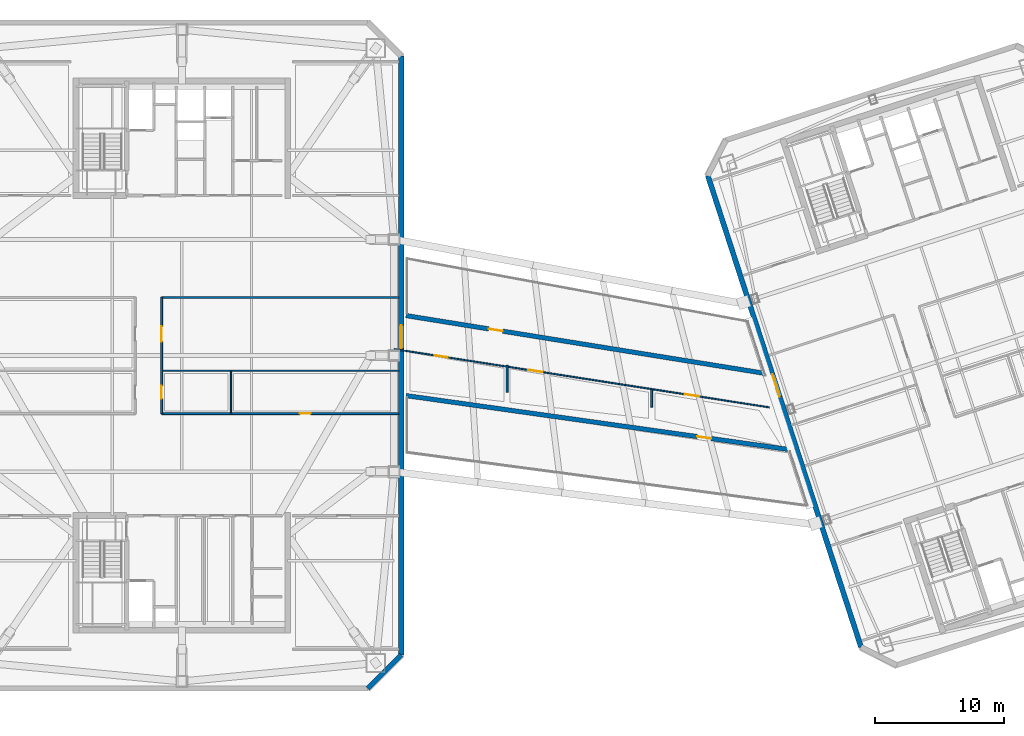
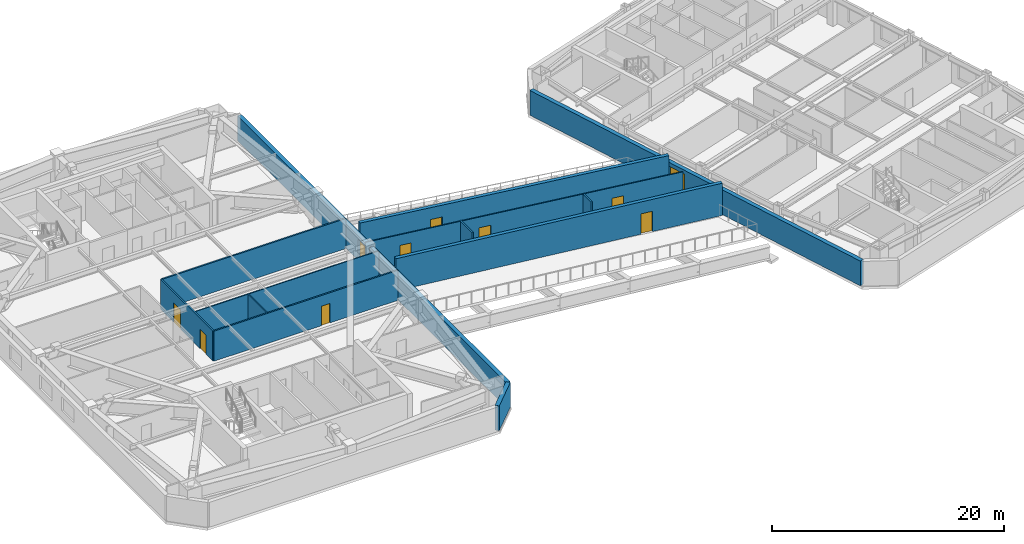
# One storey, part 7 of 18: 13 walls, 10 doors, 10 openings.
"""IFC4 building model written with IfcOpenShell, lengths in metres."""

from ifc_helpers import new_model, si_unit, direction, frame, frame_2d, origin, place, context, subcontext, project, spatial, rectangle, extrude, material, layer, layer_set, type_object, element, fill, save


model = new_model("IFC4")

# Units and contexts
model_context = context("Model", 3, precision=1e-05, world=origin(), true_north=direction((0.0, 1.0)))
body_context = subcontext(model_context, "Body", "Model", "MODEL_VIEW")
ifc_project = project(units=[si_unit("LENGTHUNIT", "METRE"), si_unit("AREAUNIT", "SQUARE_METRE"), si_unit("VOLUMEUNIT", "CUBIC_METRE"), si_unit("PLANEANGLEUNIT", "RADIAN"), si_unit("MASSUNIT", "GRAM", prefix="KILO")], contexts=[model_context])

# Site, building, storey
site_placement = place(None, origin())
site = spatial("IfcSite", under=ifc_project, at=site_placement, CompositionType="ELEMENT")
building_placement = place(site_placement, origin())
building = spatial("IfcBuilding", under=site, at=building_placement, Name="Qiaolan Cultural Towers", CompositionType="ELEMENT")
storey_placement = place(building_placement, frame((0.0, 0.0, 219.64990234375)))
storey = spatial("IfcBuildingStorey", under=building, at=storey_placement, Name="L59", CompositionType="ELEMENT", Elevation=219.64990234375)

# Wall, opening, door
ifc_material_1 = material(Name="Precast Concrete C50 Honed Stone Pier", Category="masonry")
ifc_layer_1 = layer(ifc_material_1, 0.39990234375)
ifc_layer_set_1 = layer_set([ifc_layer_1], Name="Precast Concrete C50 Honed Stone Pier")
wall_type_1 = type_object("IfcWallType", Name="WL-EXT-PIER-400", PredefinedType="SOLIDWALL", material=ifc_layer_set_1)
wall_1_placement = place(storey_placement, frame((47.0, 57.199951171875, 0.0), z_axis=(0.0, 0.0, 1.0), x_axis=(0.0, -1.0, 0.0)))
wall_1 = element("IfcWall", 1, at=wall_1_placement, inside=storey, type_object=wall_type_1, Name="L59 West Tower Precast Pier Facade Wall F5", PredefinedType="SOLIDWALL", context=body_context, shape_type="SweptSolid", body=[
    extrude(rectangle(XDim=46.39990234375, YDim=0.39990234375, at=frame_2d((23.199951171875, 0.0))), origin(), (0.0, 0.0, 1.0), 2.610107421875),
])
opening_1_placement = place(wall_1_placement, frame((20.85009765625, 0.0, 0.0)))
opening_1 = element("IfcOpeningElement", 2, at=opening_1_placement, cuts=wall_1, Name="Opening FD-B1", PredefinedType="OPENING", context=body_context, shape_type="SweptSolid", body=[
    extrude(rectangle(XDim=1.800048828125, YDim=2.199951171875, at=frame_2d((0.89990234375, 1.10009765625))), frame((0.0, 0.2099609375, 0.0), z_axis=(0.0, -1.0, 0.0), x_axis=(1.0, 0.0, 0.0)), (0.0, 0.0, 1.0), 0.419921875),
])
ifc_material_2 = material(Name="Galvanized Steel Fire-Rated Bridge Door", Category="steel")
door_type_1 = type_object("IfcDoorType", Name="DR-BRG-1800", OperationType="NOTDEFINED", PredefinedType="DOOR", material=ifc_material_2)
door_1_placement = place(opening_1_placement, origin())
door_1 = element("IfcDoor", 3, at=door_1_placement, inside=storey, type_object=door_type_1, Name="L59 West Tower Sky Park Bridge Fire Door", OperationType="SINGLE_SWING_RIGHT", OverallHeight=2.199951171875, OverallWidth=1.800048828125, PredefinedType="DOOR", context=body_context, shape_type="SweptSolid", body=[
    extrude(rectangle(XDim=1.800048828125, YDim=2.199951171875, at=frame_2d((0.89990234375, 1.10009765625))), frame((0.0, 0.02490234375, 0.0), z_axis=(0.0, -1.0, 0.0), x_axis=(1.0, 0.0, 0.0)), (0.0, 0.0, 1.0), 0.050048828125),
])
fill(opening_1, door_1)

# Wall
wall_2_placement = place(storey_placement, frame((47.0, 10.800048828125, 0.0), z_axis=(0.0, 0.0, 1.0), x_axis=(-0.707106781187, -0.707106781187, 0.0)))
element("IfcWall", 4, at=wall_2_placement, inside=storey, type_object=wall_type_1, Name="L59 West Tower Precast Pier Facade Wall F6", PredefinedType="SOLIDWALL", context=body_context, shape_type="SweptSolid", body=[
    extrude(rectangle(XDim=3.677001953125, YDim=0.39990234375, at=frame_2d((1.83837890625, 0.0))), origin(), (0.0, 0.0, 1.0), 2.610107421875),
])

# Wall, opening, door
wall_3_placement = place(storey_placement, frame((82.618408203125, 11.41357421875, 0.0), z_axis=(0.0, 0.0, 1.0), x_axis=(-0.309016491071, 0.951056679828, 0.0)))
wall_3 = element("IfcWall", 5, at=wall_3_placement, inside=storey, type_object=wall_type_1, Name="L59 East Tower Precast Pier Facade Wall F1", PredefinedType="SOLIDWALL", context=body_context, shape_type="SweptSolid", body=[
    extrude(rectangle(XDim=38.39990234375, YDim=0.39990234375, at=frame_2d((19.199951171875, 0.0))), origin(), (0.0, 0.0, 1.0), 2.610107421875),
])
opening_2_placement = place(wall_3_placement, frame((20.39990234375, 0.0, 0.0)))
opening_2 = element("IfcOpeningElement", 6, at=opening_2_placement, cuts=wall_3, Name="Opening FD-B1", PredefinedType="OPENING", context=body_context, shape_type="SweptSolid", body=[
    extrude(rectangle(XDim=1.800048828125, YDim=2.199951171875, at=frame_2d((0.89990234375, 1.10009765625))), frame((0.0, 0.2099609375, 0.0), z_axis=(0.0, -1.0, 0.0), x_axis=(1.0, 0.0, 0.0)), (0.0, 0.0, 1.0), 0.419921875),
])
door_2_placement = place(opening_2_placement, origin())
door_2 = element("IfcDoor", 7, at=door_2_placement, inside=storey, type_object=door_type_1, Name="L59 East Tower Sky Park Bridge Fire Door", OperationType="SINGLE_SWING_RIGHT", OverallHeight=2.199951171875, OverallWidth=1.800048828125, PredefinedType="DOOR", context=body_context, shape_type="SweptSolid", body=[
    extrude(rectangle(XDim=1.800048828125, YDim=2.199951171875, at=frame_2d((0.89990234375, 1.10009765625))), frame((0.0, 0.02490234375, 0.0), z_axis=(0.0, -1.0, 0.0), x_axis=(1.0, 0.0, 0.0)), (0.0, 0.0, 1.0), 0.050048828125),
])
fill(opening_2, door_2)

wall_4_placement = place(storey_placement, frame((77.452880859375, 26.66357421875, 0.0), z_axis=(0.0, 0.0, 1.0), x_axis=(-0.990242401523, 0.13935561067, 0.0)))
wall_4 = element("IfcWall", 8, at=wall_4_placement, inside=storey, type_object=wall_type_1, Name="L59 Sky Park Pavilion South Facade Wall", PredefinedType="SOLIDWALL", context=body_context, shape_type="SweptSolid", body=[
    extrude(rectangle(XDim=30.3994140625, YDim=0.35009765625, at=frame_2d((15.19970703125, 0.0))), origin(), (0.0, 0.0, 1.0), 3.400146484375),
])
opening_3_placement = place(wall_4_placement, frame((6.5, 0.0, 0.0)))
opening_3 = element("IfcOpeningElement", 9, at=opening_3_placement, cuts=wall_4, Name="Opening BD-01", PredefinedType="OPENING", context=body_context, shape_type="SweptSolid", body=[
    extrude(rectangle(XDim=1.10009765625, YDim=2.14990234375, at=frame_2d((0.550048828125, 1.074951171875))), frame((0.0, 0.18505859375, 0.0), z_axis=(0.0, -1.0, 0.0), x_axis=(1.0, 0.0, 0.0)), (0.0, 0.0, 1.0), 0.3701171875),
])
ifc_material_3 = material(Name="Thermally Broken Aluminium Glazed Terrace Door", Category="aluminium")
door_type_2 = type_object("IfcDoorType", Name="DR-BAL-1100", OperationType="NOTDEFINED", PredefinedType="DOOR", material=ifc_material_3)
door_3_placement = place(opening_3_placement, origin())
door_3 = element("IfcDoor", 10, at=door_3_placement, inside=storey, type_object=door_type_2, Name="L59 Sky Park South Observation Terrace Door", OperationType="SINGLE_SWING_LEFT", OverallHeight=2.14990234375, OverallWidth=1.10009765625, PredefinedType="DOOR", context=body_context, shape_type="SweptSolid", body=[
    extrude(rectangle(XDim=1.10009765625, YDim=2.14990234375, at=frame_2d((0.550048828125, 1.074951171875))), frame((0.0, 0.02490234375, 0.0), z_axis=(0.0, -1.0, 0.0), x_axis=(1.0, 0.0, 0.0)), (0.0, 0.0, 1.0), 0.050048828125),
])
fill(opening_3, door_3)

wall_5_placement = place(storey_placement, frame((47.35009765625, 37.10009765625, 0.0), z_axis=(0.0, 0.0, 1.0), x_axis=(0.98727687058, -0.159010631147, 0.0)))
wall_5 = element("IfcWall", 11, at=wall_5_placement, inside=storey, type_object=wall_type_1, Name="L59 Sky Park Pavilion North Facade Wall", PredefinedType="SOLIDWALL", context=body_context, shape_type="SweptSolid", body=[
    extrude(rectangle(XDim=28.55029296875, YDim=0.35009765625, at=frame_2d((14.275146484375, 0.0))), origin(), (0.0, 0.0, 1.0), 3.400146484375),
])
opening_4_placement = place(wall_5_placement, frame((6.5, 0.0, 0.0)))
opening_4 = element("IfcOpeningElement", 12, at=opening_4_placement, cuts=wall_5, Name="Opening BD-01", PredefinedType="OPENING", context=body_context, shape_type="SweptSolid", body=[
    extrude(rectangle(XDim=1.10009765625, YDim=2.14990234375, at=frame_2d((0.550048828125, 1.074951171875))), frame((0.0, 0.18505859375, 0.0), z_axis=(0.0, -1.0, 0.0), x_axis=(1.0, 0.0, 0.0)), (0.0, 0.0, 1.0), 0.3701171875),
])
door_4_placement = place(opening_4_placement, origin())
door_4 = element("IfcDoor", 13, at=door_4_placement, inside=storey, type_object=door_type_2, Name="L59 Sky Park North Observation Terrace Door", OperationType="SINGLE_SWING_RIGHT", OverallHeight=2.14990234375, OverallWidth=1.10009765625, PredefinedType="DOOR", context=body_context, shape_type="SweptSolid", body=[
    extrude(rectangle(XDim=1.10009765625, YDim=2.14990234375, at=frame_2d((0.550048828125, 1.074951171875))), frame((0.0, 0.02490234375, 0.0), z_axis=(0.0, -1.0, 0.0), x_axis=(1.0, 0.0, 0.0)), (0.0, 0.0, 1.0), 0.050048828125),
])
fill(opening_4, door_4)

# Walls
ifc_material_4 = material(Name="Acoustic Double-Glazed Partition Frame", Category="glass")
ifc_layer_2 = layer(ifc_material_4, 0.10009765625)
ifc_layer_set_2 = layer_set([ifc_layer_2], Name="Acoustic Double-Glazed Partition Frame")
wall_type_2 = type_object("IfcWallType", Name="WL-GLAZED-100", PredefinedType="MOVABLE", material=ifc_layer_set_2)
wall_6_placement = place(storey_placement, frame((33.800048828125, 29.5, 0.0), z_axis=(0.0, 0.0, 1.0), x_axis=(0.0, 1.0, 0.0)))
element("IfcWall", 14, at=wall_6_placement, inside=storey, type_object=wall_type_2, Name="L59 T1 Interior Wall", PredefinedType="MOVABLE", context=body_context, shape_type="SweptSolid", body=[
    extrude(rectangle(XDim=3.320068359375, YDim=0.10009765625, at=frame_2d((1.66015625, 0.0))), origin(), (0.0, 0.0, 1.0), 3.175048828125),
])
wall_7_placement = place(storey_placement, frame((28.425048828125, 32.820068359375, 0.0), z_axis=(0.0, 0.0, 1.0), x_axis=(1.0, 0.0, 0.0)))
element("IfcWall", 15, at=wall_7_placement, inside=storey, type_object=wall_type_2, Name="L59 T1 Interior Wall", PredefinedType="MOVABLE", context=body_context, shape_type="SweptSolid", body=[
    extrude(rectangle(XDim=18.375, YDim=0.10009765625, at=frame_2d((9.1875, 0.0))), origin(), (0.0, 0.0, 1.0), 3.175048828125),
])

# Wall, openings, doors
wall_8_placement = place(storey_placement, frame((46.449951171875, 34.5, 0.0), z_axis=(0.0, 0.0, 1.0), x_axis=(0.988149988354, -0.153491369519, 0.0)))
wall_8 = element("IfcWall", 16, at=wall_8_placement, inside=storey, type_object=wall_type_2, Name="L59 Sky Park Upper Bridge Corridor Wall", PredefinedType="MOVABLE", context=body_context, shape_type="SweptSolid", body=[
    extrude(rectangle(XDim=29.405029296875, YDim=0.10009765625, at=frame_2d((14.70263671875, 0.0))), origin(), (0.0, 0.0, 1.0), 3.175048828125),
])
opening_5_placement = place(wall_8_placement, frame((3.199951171875, 0.0, 0.0)))
opening_5 = element("IfcOpeningElement", 17, at=opening_5_placement, cuts=wall_8, Name="Opening ID-04", PredefinedType="OPENING", context=body_context, shape_type="SweptSolid", body=[
    extrude(rectangle(XDim=1.0, YDim=2.050048828125, at=frame_2d((0.5, 1.02490234375))), frame((0.0, 0.06005859375, 0.0), z_axis=(0.0, -1.0, 0.0), x_axis=(1.0, 0.0, 0.0)), (0.0, 0.0, 1.0), 0.1201171875),
])
opening_6_placement = place(wall_8_placement, frame((10.5, 0.0, 0.0)))
opening_6 = element("IfcOpeningElement", 18, at=opening_6_placement, cuts=wall_8, Name="Opening ID-03", PredefinedType="OPENING", context=body_context, shape_type="SweptSolid", body=[
    extrude(rectangle(XDim=1.10009765625, YDim=2.050048828125, at=frame_2d((0.550048828125, 1.02490234375))), frame((0.0, 0.06005859375, 0.0), z_axis=(0.0, -1.0, 0.0), x_axis=(1.0, 0.0, 0.0)), (0.0, 0.0, 1.0), 0.1201171875),
])
opening_7_placement = place(wall_8_placement, frame((22.800048828125, 0.0, 0.0)))
opening_7 = element("IfcOpeningElement", 19, at=opening_7_placement, cuts=wall_8, Name="Opening ID-03", PredefinedType="OPENING", context=body_context, shape_type="SweptSolid", body=[
    extrude(rectangle(XDim=1.10009765625, YDim=2.050048828125, at=frame_2d((0.550048828125, 1.02490234375))), frame((0.0, 0.06005859375, 0.0), z_axis=(0.0, -1.0, 0.0), x_axis=(1.0, 0.0, 0.0)), (0.0, 0.0, 1.0), 0.1201171875),
])
ifc_material_5 = material(Name="Oak Veneer Acoustic Office Door", Category="timber")
door_type_3 = type_object("IfcDoorType", Name="DR-INT-1000", OperationType="NOTDEFINED", PredefinedType="DOOR", material=ifc_material_5)
door_5_placement = place(opening_5_placement, origin())
door_5 = element("IfcDoor", 20, at=door_5_placement, inside=storey, type_object=door_type_3, Name="L59 Sky Tea Pantry Door", OperationType="SINGLE_SWING_LEFT", OverallHeight=2.050048828125, OverallWidth=1.0, PredefinedType="DOOR", context=body_context, shape_type="SweptSolid", body=[
    extrude(rectangle(XDim=1.0, YDim=2.050048828125, at=frame_2d((0.5, 1.02490234375))), frame((0.0, 0.02490234375, 0.0), z_axis=(0.0, -1.0, 0.0), x_axis=(1.0, 0.0, 0.0)), (0.0, 0.0, 1.0), 0.050048828125),
])
fill(opening_5, door_5)
ifc_material_6 = material(Name="Oak Veneer Solid-Core Boardroom Door", Category="timber")
door_type_4 = type_object("IfcDoorType", Name="DR-INT-1100", OperationType="NOTDEFINED", PredefinedType="DOOR", material=ifc_material_6)
door_6_placement = place(opening_6_placement, origin())
door_6 = element("IfcDoor", 21, at=door_6_placement, inside=storey, type_object=door_type_4, Name="L59 Sky Observatory Boardroom Door", OperationType="SINGLE_SWING_LEFT", OverallHeight=2.050048828125, OverallWidth=1.10009765625, PredefinedType="DOOR", context=body_context, shape_type="SweptSolid", body=[
    extrude(rectangle(XDim=1.10009765625, YDim=2.050048828125, at=frame_2d((0.550048828125, 1.02490234375))), frame((0.0, 0.02490234375, 0.0), z_axis=(0.0, -1.0, 0.0), x_axis=(1.0, 0.0, 0.0)), (0.0, 0.0, 1.0), 0.050048828125),
])
fill(opening_6, door_6)
door_7_placement = place(opening_7_placement, origin())
door_7 = element("IfcDoor", 22, at=door_7_placement, inside=storey, type_object=door_type_4, Name="L59 Sky Members Salon Door", OperationType="SINGLE_SWING_RIGHT", OverallHeight=2.050048828125, OverallWidth=1.10009765625, PredefinedType="DOOR", context=body_context, shape_type="SweptSolid", body=[
    extrude(rectangle(XDim=1.10009765625, YDim=2.050048828125, at=frame_2d((0.550048828125, 1.02490234375))), frame((0.0, 0.02490234375, 0.0), z_axis=(0.0, -1.0, 0.0), x_axis=(1.0, 0.0, 0.0)), (0.0, 0.0, 1.0), 0.050048828125),
])
fill(opening_7, door_7)

# Wall, opening, door
ifc_material_7 = material(Name="Autoclaved Aerated Concrete Block B06", Category="concrete")
ifc_layer_3 = layer(ifc_material_7, 0.14990234375)
ifc_layer_set_3 = layer_set([ifc_layer_3], Name="Autoclaved Aerated Concrete Block B06")
wall_type_3 = type_object("IfcWallType", Name="WL-PART-150", PredefinedType="PARTITIONING", material=ifc_layer_set_3)
wall_9_placement = place(storey_placement, frame((28.425048828125, 29.5, 0.0), z_axis=(0.0, 0.0, 1.0), x_axis=(1.0, 0.0, 0.0)))
wall_9 = element("IfcWall", 23, at=wall_9_placement, inside=storey, type_object=wall_type_3, Name="L59 T1 South Foyer East Wall", PredefinedType="PARTITIONING", context=body_context, shape_type="SweptSolid", body=[
    extrude(rectangle(XDim=18.375, YDim=0.14990234375, at=frame_2d((9.1875, 0.0))), origin(), (0.0, 0.0, 1.0), 3.175048828125),
])
opening_8_placement = place(wall_9_placement, frame((10.72509765625, 0.0, 0.0)))
opening_8 = element("IfcOpeningElement", 24, at=opening_8_placement, cuts=wall_9, Name="Opening ID-09", PredefinedType="OPENING", context=body_context, shape_type="SweptSolid", body=[
    extrude(rectangle(XDim=0.85009765625, YDim=2.050048828125, at=frame_2d((0.425048828125, 1.02490234375))), frame((0.0, 0.0849609375, 0.0), z_axis=(0.0, -1.0, 0.0), x_axis=(1.0, 0.0, 0.0)), (0.0, 0.0, 1.0), 0.169921875),
])
ifc_material_8 = material(Name="Moisture-Resistant Laminate Utility Door", Category="timber")
door_type_5 = type_object("IfcDoorType", Name="DR-INT-850", OperationType="NOTDEFINED", PredefinedType="DOOR", material=ifc_material_8)
door_8_placement = place(opening_8_placement, origin())
door_8 = element("IfcDoor", 25, at=door_8_placement, inside=storey, type_object=door_type_5, Name="L59 T1 Curator Office Door", OperationType="SINGLE_SWING_RIGHT", OverallHeight=2.050048828125, OverallWidth=0.85009765625, PredefinedType="DOOR", context=body_context, shape_type="SweptSolid", body=[
    extrude(rectangle(XDim=0.85009765625, YDim=2.050048828125, at=frame_2d((0.425048828125, 1.02490234375))), frame((0.0, 0.02490234375, 0.0), z_axis=(0.0, -1.0, 0.0), x_axis=(1.0, 0.0, 0.0)), (0.0, 0.0, 1.0), 0.050048828125),
])
fill(opening_8, door_8)

# Wall
wall_10_placement = place(storey_placement, frame((28.425048828125, 38.5, 0.0), z_axis=(0.0, 0.0, 1.0), x_axis=(1.0, 0.0, 0.0)))
element("IfcWall", 26, at=wall_10_placement, inside=storey, type_object=wall_type_3, Name="L59 T1 North Foyer East Wall", PredefinedType="PARTITIONING", context=body_context, shape_type="SweptSolid", body=[
    extrude(rectangle(XDim=18.375, YDim=0.14990234375, at=frame_2d((9.1875, 0.0))), origin(), (0.0, 0.0, 1.0), 3.175048828125),
])

# Wall, openings, doors
wall_11_placement = place(storey_placement, frame((28.425048828125, 29.5, 0.0), z_axis=(0.0, 0.0, 1.0), x_axis=(0.0, 1.0, 0.0)))
wall_11 = element("IfcWall", 27, at=wall_11_placement, inside=storey, type_object=wall_type_3, Name="L59 T1 Central Spine East Wall", PredefinedType="PARTITIONING", context=body_context, shape_type="SweptSolid", body=[
    extrude(rectangle(XDim=9.0, YDim=0.14990234375, at=frame_2d((4.5, 0.0))), origin(), (0.0, 0.0, 1.0), 3.175048828125),
])
opening_9_placement = place(wall_11_placement, frame((1.159912109375, 0.0, 0.0)))
opening_9 = element("IfcOpeningElement", 28, at=opening_9_placement, cuts=wall_11, Name="Opening ID-04", PredefinedType="OPENING", context=body_context, shape_type="SweptSolid", body=[
    extrude(rectangle(XDim=1.0, YDim=2.050048828125, at=frame_2d((0.5, 1.02490234375))), frame((0.0, 0.0849609375, 0.0), z_axis=(0.0, -1.0, 0.0), x_axis=(1.0, 0.0, 0.0)), (0.0, 0.0, 1.0), 0.169921875),
])
opening_10_placement = place(wall_11_placement, frame((5.56005859375, 0.0, 0.0)))
opening_10 = element("IfcOpeningElement", 29, at=opening_10_placement, cuts=wall_11, Name="Opening FD-06", PredefinedType="OPENING", context=body_context, shape_type="SweptSolid", body=[
    extrude(rectangle(XDim=1.199951171875, YDim=2.050048828125, at=frame_2d((0.60009765625, 1.02490234375))), frame((0.0, 0.0849609375, 0.0), z_axis=(0.0, -1.0, 0.0), x_axis=(1.0, 0.0, 0.0)), (0.0, 0.0, 1.0), 0.169921875),
])
ifc_material_9 = material(Name="Painted Steel Plant Fire Door", Category="steel")
door_type_6 = type_object("IfcDoorType", Name="DR-FD60-1200", OperationType="NOTDEFINED", PredefinedType="DOOR", material=ifc_material_9)
door_9_placement = place(opening_10_placement, origin())
door_9 = element("IfcDoor", 30, at=door_9_placement, inside=storey, type_object=door_type_6, Name="L59 T1 Lobby Sky Park Bridge Vestibule Lobby Door", OperationType="SINGLE_SWING_LEFT", OverallHeight=2.050048828125, OverallWidth=1.199951171875, PredefinedType="DOOR", context=body_context, shape_type="SweptSolid", body=[
    extrude(rectangle(XDim=1.199951171875, YDim=2.050048828125, at=frame_2d((0.60009765625, 1.02490234375))), frame((0.0, 0.02490234375, 0.0), z_axis=(0.0, -1.0, 0.0), x_axis=(1.0, 0.0, 0.0)), (0.0, 0.0, 1.0), 0.050048828125),
])
fill(opening_10, door_9)
door_10_placement = place(opening_9_placement, origin())
door_10 = element("IfcDoor", 31, at=door_10_placement, inside=storey, type_object=door_type_3, Name="L59 T1 Sky Gallery Gift Shop Door", OperationType="SINGLE_SWING_LEFT", OverallHeight=2.050048828125, OverallWidth=1.0, PredefinedType="DOOR", context=body_context, shape_type="SweptSolid", body=[
    extrude(rectangle(XDim=1.0, YDim=2.050048828125, at=frame_2d((0.5, 1.02490234375))), frame((0.0, 0.02490234375, 0.0), z_axis=(0.0, -1.0, 0.0), x_axis=(1.0, 0.0, 0.0)), (0.0, 0.0, 1.0), 0.050048828125),
])
fill(opening_9, door_10)

# Walls
wall_12_placement = place(storey_placement, frame((55.199951171875, 31.14990234375, 0.0), z_axis=(0.0, 0.0, 1.0), x_axis=(0.0, 1.0, 0.0)))
element("IfcWall", 32, at=wall_12_placement, inside=storey, type_object=wall_type_3, Name="L59 Sky Park Pavilion Partition 1", PredefinedType="PARTITIONING", context=body_context, shape_type="SweptSolid", body=[
    extrude(rectangle(XDim=2.0869140625, YDim=0.14990234375, at=frame_2d((1.04345703125, 0.0))), origin(), (0.0, 0.0, 1.0), 3.175048828125),
])
wall_13_placement = place(storey_placement, frame((66.39990234375, 30.0, 0.0), z_axis=(0.0, 0.0, 1.0), x_axis=(0.0, 1.0, 0.0)))
element("IfcWall", 33, at=wall_13_placement, inside=storey, type_object=wall_type_3, Name="L59 Sky Park Pavilion Partition 2", PredefinedType="PARTITIONING", context=body_context, shape_type="SweptSolid", body=[
    extrude(rectangle(XDim=1.37548828125, YDim=0.14990234375, at=frame_2d((0.687744140625, 0.0))), origin(), (0.0, 0.0, 1.0), 3.175048828125),
])

save(model, "model.ifc")
